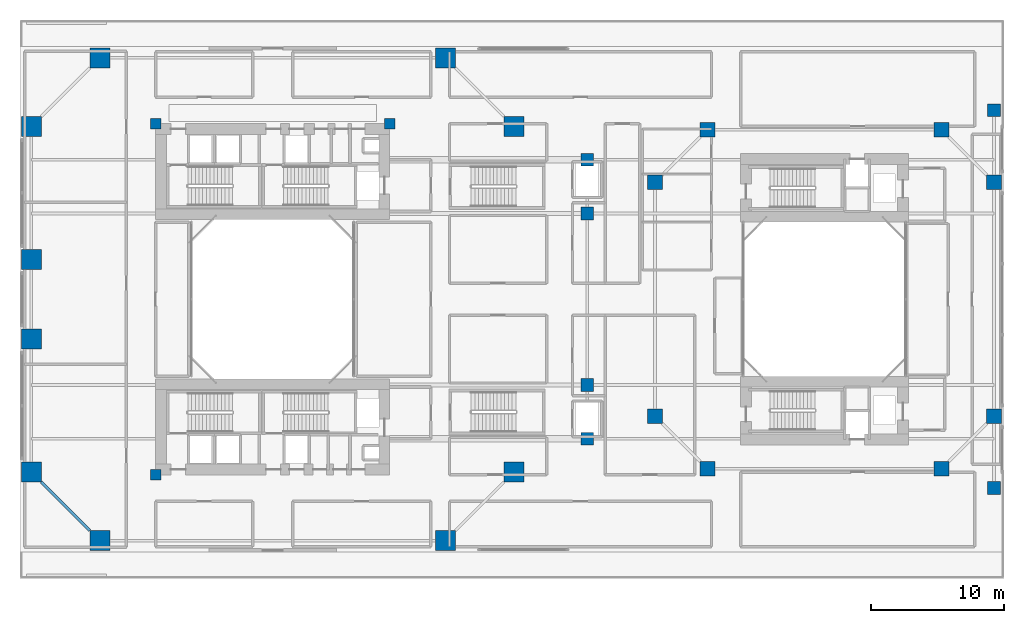
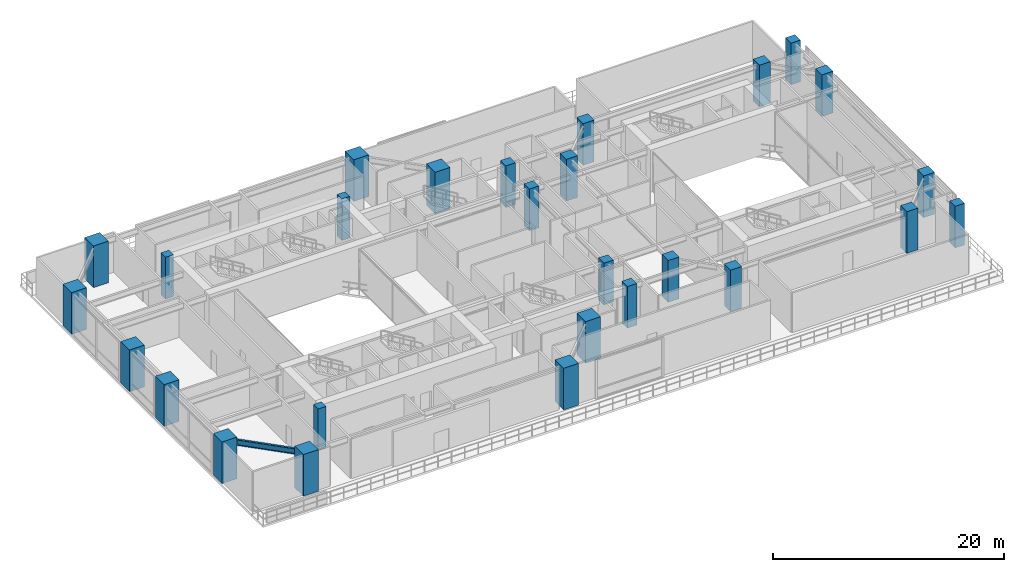
# One storey, part 1 of 19: 27 columns, 1 beam.
"""IFC4 building model written with IfcOpenShell, lengths in metres."""

from ifc_helpers import new_model, si_unit, direction, frame, origin, origin_2d, place, context, subcontext, project, spatial, rectangle, i_section, extrude, source, transform, mapped, material, material_profile, profile_set, type_object, element, save


model = new_model("IFC4")

# Units and contexts
model_context = context("Model", 3, precision=1e-05, world=origin(), true_north=direction((0.0, 1.0)))
body_context = subcontext(model_context, "Body", "Model", "MODEL_VIEW")
ifc_project = project(units=[si_unit("LENGTHUNIT", "METRE"), si_unit("AREAUNIT", "SQUARE_METRE"), si_unit("VOLUMEUNIT", "CUBIC_METRE"), si_unit("PLANEANGLEUNIT", "RADIAN"), si_unit("MASSUNIT", "GRAM", prefix="KILO"), si_unit("THERMODYNAMICTEMPERATUREUNIT", "KELVIN"), si_unit("POWERUNIT", "WATT")], contexts=[model_context])

# Site, building, storey
site_placement = place(None, origin())
site = spatial("IfcSite", under=ifc_project, at=site_placement, CompositionType="ELEMENT")
building_placement = place(site_placement, origin())
building = spatial("IfcBuilding", under=site, at=building_placement, Name="Qiaomeng Ring Towers", CompositionType="ELEMENT")
storey_placement = place(building_placement, frame((0.0, 0.0, 9.39990234375)))
storey = spatial("IfcBuildingStorey", under=building, at=storey_placement, Name="L02", CompositionType="ELEMENT", Elevation=9.39990234375)

# Columns
ifc_material_1 = material(Name="Concrete C60", Category="concrete")
ifc_material_profile_1 = material_profile(ifc_material_1, rectangle(XDim=1.5, YDim=1.5, at=origin_2d()), Name="RC COL 1500x1500")
ifc_profile_set_1 = profile_set([ifc_material_profile_1], Name="Concrete C60")
column_type_1 = type_object("IfcColumnType", Name="STR-COL-1500", PredefinedType="COLUMN", material=ifc_profile_set_1)
shared_shape_1 = source(origin(), body_context, "Body", "SweptSolid", [
    extrude(rectangle(XDim=1.5, YDim=1.5, at=origin_2d()), origin(), (0.0, 0.0, 1.0), 4.400146484375),
])
for number, where, z_axis, x_axis, name in (
    (1, (6.0, 4.85009765625, 0.0), (0.0, 0.0, 1.0), (1.0, 0.0, 0.0), "L02 column STR-COL-L02-T1-S1"),
    (2, (32.0, 4.85009765625, 0.0), (0.0, 0.0, 1.0), (1.0, 0.0, 0.0), "L02 column STR-COL-L02-T1-S2"),
    (3, (37.14990234375, 10.0, 0.0), (0.0, 0.0, 1.0), (1.0, 0.0, 0.0), "L02 column STR-COL-L02-T1-E1"),
    (4, (37.14990234375, 36.0, 0.0), (0.0, 0.0, 1.0), (1.0, 0.0, 0.0), "L02 column STR-COL-L02-T1-E4"),
    (5, (32.0, 41.14990234375, 0.0), (0.0, 0.0, 1.0), (1.0, 0.0, 0.0), "L02 column STR-COL-L02-T1-N2"),
    (6, (6.0, 41.14990234375, 0.0), (0.0, 0.0, 1.0), (1.0, 0.0, 0.0), "L02 column STR-COL-L02-T1-N1"),
    (7, (0.85009765625, 36.0, 0.0), (0.0, 0.0, 1.0), (1.0, 0.0, 0.0), "L02 column STR-COL-L02-T1-W4"),
    (8, (0.85009765625, 26.0, 0.0), (0.0, 0.0, 1.0), (1.0, 0.0, 0.0), "L02 column STR-COL-L02-T1-W3"),
    (9, (0.85009765625, 20.0, 0.0), (0.0, 0.0, 1.0), (1.0, 0.0, 0.0), "L02 column STR-COL-L02-T1-W2"),
    (10, (0.85009765625, 10.0, 0.0), (0.0, 0.0, 1.0), (1.0, 0.0, 0.0), "L02 column STR-COL-L02-T1-W1"),
):
    element("IfcColumn", number, at=place(storey_placement, frame(where, z_axis=z_axis, x_axis=x_axis)), inside=storey, type_object=column_type_1, Name=name, PredefinedType="COLUMN", context=body_context, shape_type="MappedRepresentation", body=[
        mapped(shared_shape_1, transform((0.0, 0.0, 0.0), x_axis=(1.0, 0.0, 0.0), y_axis=(0.0, 1.0, 0.0), z_axis=(0.0, 0.0, 1.0), scale=1.0)),
    ])
ifc_material_profile_2 = material_profile(ifc_material_1, rectangle(XDim=1.10009765625, YDim=1.10009765625, at=origin_2d()), Name="RC COL 1100x1100")
ifc_profile_set_2 = profile_set([ifc_material_profile_2], Name="Concrete C60")
column_type_2 = type_object("IfcColumnType", Name="STR-COL-1100-C60", PredefinedType="COLUMN", material=ifc_profile_set_2)
shared_shape_2 = source(origin(), body_context, "Body", "SweptSolid", [
    extrude(rectangle(XDim=1.10009765625, YDim=1.10009765625, at=origin_2d()), origin(), (0.0, 0.0, 1.0), 4.400146484375),
])
for number, where, z_axis, x_axis, name in (
    (11, (51.699951171875, 10.25, 0.0), (0.0, 0.0, 1.0), (1.0, 0.0, 0.0), "L02 column STR-COL-L02-T2-S1"),
    (12, (69.300048828125, 10.25, 0.0), (0.0, 0.0, 1.0), (1.0, 0.0, 0.0), "L02 column STR-COL-L02-T2-S2"),
    (13, (73.25, 14.199951171875, 0.0), (0.0, 0.0, 1.0), (1.0, 0.0, 0.0), "L02 column STR-COL-L02-T2-E1"),
    (14, (73.25, 31.800048828125, 0.0), (0.0, 0.0, 1.0), (1.0, 0.0, 0.0), "L02 column STR-COL-L02-T2-E2"),
    (15, (69.300048828125, 35.75, 0.0), (0.0, 0.0, 1.0), (1.0, 0.0, 0.0), "L02 column STR-COL-L02-T2-N2"),
    (16, (51.699951171875, 35.75, 0.0), (0.0, 0.0, 1.0), (1.0, 0.0, 0.0), "L02 column STR-COL-L02-T2-N1"),
    (17, (47.75, 14.199951171875, 0.0), (0.0, 0.0, 1.0), (1.0, 0.0, 0.0), "L02 column STR-COL-L02-T2-W1"),
    (18, (47.75, 31.800048828125, 0.0), (0.0, 0.0, 1.0), (1.0, 0.0, 0.0), "L02 column STR-COL-L02-T2-W4"),
):
    element("IfcColumn", number, at=place(storey_placement, frame(where, z_axis=z_axis, x_axis=x_axis)), inside=storey, type_object=column_type_2, Name=name, PredefinedType="COLUMN", context=body_context, shape_type="MappedRepresentation", body=[
        mapped(shared_shape_2, transform((0.0, 0.0, 0.0), x_axis=(1.0, 0.0, 0.0), y_axis=(0.0, 1.0, 0.0), z_axis=(0.0, 0.0, 1.0), scale=1.0)),
    ])
ifc_material_profile_3 = material_profile(ifc_material_1, rectangle(XDim=0.949951171875, YDim=0.949951171875, at=origin_2d()), Name="RC COL 950x950")
ifc_profile_set_3 = profile_set([ifc_material_profile_3], Name="Concrete C60")
column_type_3 = type_object("IfcColumnType", Name="STR-COL-950-C60", PredefinedType="COLUMN", material=ifc_profile_set_3)
shared_shape_3 = source(origin(), body_context, "Body", "SweptSolid", [
    extrude(rectangle(XDim=0.949951171875, YDim=0.949951171875, at=origin_2d()), origin(), (0.0, 0.0, 1.0), 4.400146484375),
])
for number, where, z_axis, x_axis, name in (
    (19, (42.64990234375, 12.5, 0.0), (0.0, 0.0, 1.0), (1.0, 0.0, 0.0), "L02 column STR-COL-L02-P1"),
    (20, (42.64990234375, 16.550048828125, 0.0), (0.0, 0.0, 1.0), (1.0, 0.0, 0.0), "L02 column STR-COL-L02-P2S"),
    (21, (42.64990234375, 29.449951171875, 0.0), (0.0, 0.0, 1.0), (1.0, 0.0, 0.0), "L02 column STR-COL-L02-P2N"),
    (22, (42.64990234375, 33.5, 0.0), (0.0, 0.0, 1.0), (1.0, 0.0, 0.0), "L02 column STR-COL-L02-P3"),
    (23, (73.25, 8.800048828125, 0.0), (0.0, 0.0, 1.0), (1.0, 0.0, 0.0), "L02 column STR-COL-L02-PES"),
    (24, (73.25, 37.199951171875, 0.0), (0.0, 0.0, 1.0), (1.0, 0.0, 0.0), "L02 column STR-COL-L02-PEN"),
):
    element("IfcColumn", number, at=place(storey_placement, frame(where, z_axis=z_axis, x_axis=x_axis)), inside=storey, type_object=column_type_3, Name=name, PredefinedType="COLUMN", context=body_context, shape_type="MappedRepresentation", body=[
        mapped(shared_shape_3, transform((0.0, 0.0, 0.0), x_axis=(1.0, 0.0, 0.0), y_axis=(0.0, 1.0, 0.0), z_axis=(0.0, 0.0, 1.0), scale=1.0)),
    ])
ifc_material_profile_4 = material_profile(ifc_material_1, rectangle(XDim=0.800048828125, YDim=0.800048828125, at=origin_2d()), Name="RC COL 800x800")
ifc_profile_set_4 = profile_set([ifc_material_profile_4], Name="Concrete C60")
column_type_4 = type_object("IfcColumnType", Name="STR-PIL-800", PredefinedType="PILASTER", material=ifc_profile_set_4)
shared_shape_4 = source(origin(), body_context, "Body", "SweptSolid", [
    extrude(rectangle(XDim=0.800048828125, YDim=0.800048828125, at=origin_2d()), origin(), (0.0, 0.0, 1.0), 4.400146484375),
])
for number, where, z_axis, x_axis, name in (
    (25, (10.199951171875, 36.199951171875, 0.0), (0.0, 0.0, 1.0), (1.0, 0.0, 0.0), "L02 column STR-PIL-L02-PL-N1"),
    (26, (10.199951171875, 9.800048828125, 0.0), (0.0, 0.0, 1.0), (1.0, 0.0, 0.0), "L02 column STR-PIL-L02-PL-S1"),
    (27, (27.800048828125, 36.199951171875, 0.0), (0.0, 0.0, 1.0), (1.0, 0.0, 0.0), "L02 column STR-PIL-L02-PL-N2"),
):
    element("IfcColumn", number, at=place(storey_placement, frame(where, z_axis=z_axis, x_axis=x_axis)), inside=storey, type_object=column_type_4, Name=name, PredefinedType="PILASTER", context=body_context, shape_type="MappedRepresentation", body=[
        mapped(shared_shape_4, transform((0.0, 0.0, 0.0), x_axis=(1.0, 0.0, 0.0), y_axis=(0.0, 1.0, 0.0), z_axis=(0.0, 0.0, 1.0), scale=1.0)),
    ])

# Beam
ifc_material_2 = material(Name="Steel Q355B", Category="steel")
ifc_material_profile_5 = material_profile(ifc_material_2, i_section(OverallWidth=0.199951171875, OverallDepth=0.60009765625, WebThickness=0.010986328125, FlangeThickness=0.01708984375, FilletRadius=0.02197265625, at=origin_2d()), Name="HN 600x200x11x17")
ifc_profile_set_5 = profile_set([ifc_material_profile_5], Name="Steel Q355B")
beam_type = type_object("IfcBeamType", Name="STR-BM-HN600", PredefinedType="BEAM", material=ifc_profile_set_5)
shared_shape_5 = source(origin(), body_context, "Body", "SweptSolid", [
    extrude(i_section(OverallWidth=0.199951171875, OverallDepth=0.60009765625, WebThickness=0.010986328125, FlangeThickness=0.01708984375, FilletRadius=0.02197265625, at=origin_2d()), origin(), (0.0, 0.0, 1.0), 5.163818359375),
])
beam_placement = place(storey_placement, frame((1.599365234375, 9.250732421875, 3.880126953125), z_axis=(0.707106781187, -0.707106781187, 0.0), x_axis=(0.707106781187, 0.707106781187, 0.0)))
element("IfcBeam", 28, at=beam_placement, inside=storey, type_object=beam_type, Name="L02 beam STR-SP-L02-T1-0", PredefinedType="BEAM", context=body_context, shape_type="MappedRepresentation", body=[
    mapped(shared_shape_5, transform((0.0, 0.0, 0.0), x_axis=(1.0, 0.0, 0.0), y_axis=(0.0, 1.0, 0.0), z_axis=(0.0, 0.0, 1.0), scale=1.0)),
])

save(model, "model.ifc")
